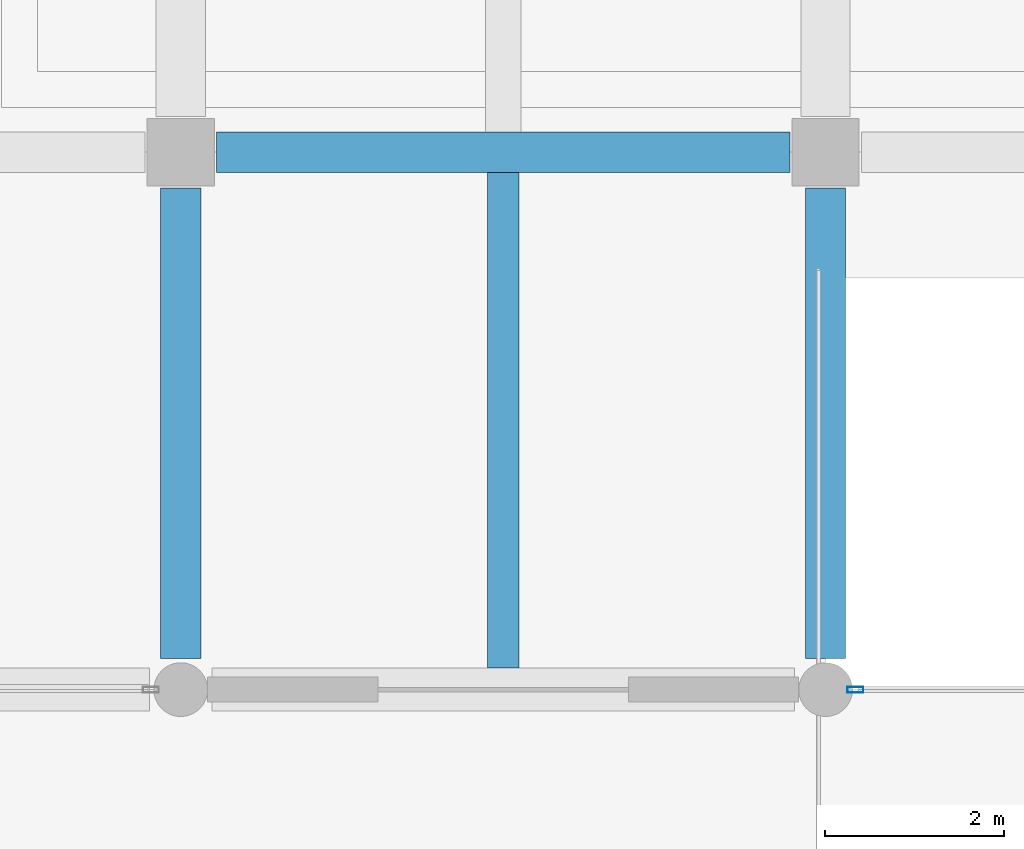
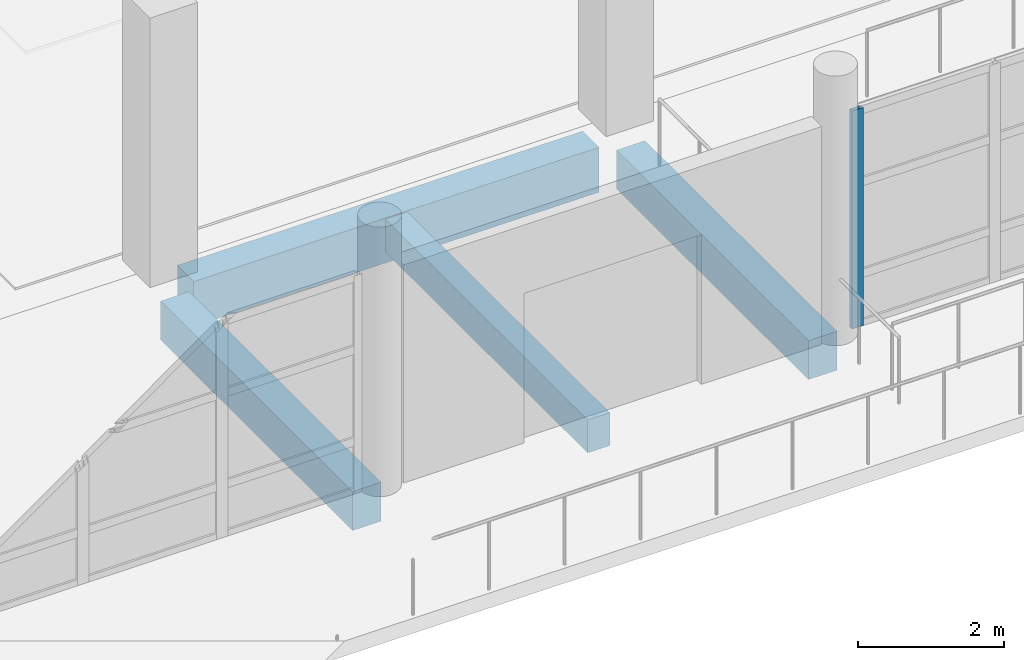
# One storey, part 6 of 71: 4 beams, 1 member, 1 element without a shape of its own.
"""IFC4 building model written with IfcOpenShell, lengths in metres."""

from ifc_helpers import new_model, si_unit, direction, frame, origin, origin_2d, place, context, subcontext, project, spatial, rectangle, hollow_rectangle, extrude, material, material_profile, profile_set, type_object, element, aggregate, save


model = new_model("IFC4")

# Units and contexts
model_context = context("Model", 3, precision=1e-05, world=origin(), true_north=direction((0.0, 1.0)))
body_context = subcontext(model_context, "Body", "Model", "MODEL_VIEW")
ifc_project = project(units=[si_unit("LENGTHUNIT", "METRE"), si_unit("AREAUNIT", "SQUARE_METRE"), si_unit("VOLUMEUNIT", "CUBIC_METRE"), si_unit("PLANEANGLEUNIT", "RADIAN"), si_unit("MASSUNIT", "GRAM", prefix="KILO")], contexts=[model_context])

# Site, building, storey
site_placement = place(None, origin())
site = spatial("IfcSite", under=ifc_project, at=site_placement, CompositionType="ELEMENT")
building_placement = place(site_placement, origin())
building = spatial("IfcBuilding", under=site, at=building_placement, Name="Pellamere Symphony Hall", CompositionType="ELEMENT")
storey_placement = place(building_placement, frame((0.0, 0.0, 15.0)))
storey = spatial("IfcBuildingStorey", under=building, at=storey_placement, Name="L03", CompositionType="ELEMENT", Elevation=15.0)

# Curtain wall, member
ifc_material_1 = material(Name="Thermally Broken Anodised Aluminium 6063-T6 Curtain Wall", Category="aluminium")
curtain_wall_type = type_object("IfcCurtainWallType", Name="Curtain Wall CW-02 (Winter-Garden South Concourse Curtain Wall)", PredefinedType="NOTDEFINED", material=ifc_material_1)
curtain_wall_placement = place(storey_placement, origin())
curtain_wall = element("IfcCurtainWall", 1, at=curtain_wall_placement, inside=storey, type_object=curtain_wall_type, Name="Winter-Garden South Curtain Wall (L03 Bay 5)", PredefinedType="NOTDEFINED")
ifc_material_2 = material(Name="Anodised Architectural Aluminium 6063-T6", Category="aluminium")
ifc_material_profile_1 = material_profile(ifc_material_2, hollow_rectangle(XDim=0.06494140625, YDim=0.179931640625, WallThickness=0.00390625, at=origin_2d()), Name="ALU-M65X180X4")
ifc_profile_set_1 = profile_set([ifc_material_profile_1], Name="Anodised Architectural Aluminium 6063-T6")
member_type = type_object("IfcMemberType", Name="Curtain Wall Mullion ML-02 ALU-M65X180X4", PredefinedType="MULLION", material=ifc_profile_set_1)
member_placement = place(storey_placement, frame((73.532470703125, 24.0, 0.0), z_axis=(0.0, 0.0, 1.0), x_axis=(0.0, 1.0, 0.0)))
member = element("IfcMember", 2, at=member_placement, type_object=member_type, Name="CW2-089 crystal mullion 1", PredefinedType="MULLION", context=body_context, shape_type="SweptSolid", body=[
    extrude(hollow_rectangle(XDim=0.06494140625, YDim=0.179931640625, WallThickness=0.00390625, at=origin_2d()), origin(), (0.0, 0.0, 1.0), 3.639892578125),
])
aggregate(curtain_wall, [member])

# Beams
ifc_material_3 = material(Name="Concrete 40 MPa", Category="concrete")
ifc_material_profile_2 = material_profile(ifc_material_3, rectangle(XDim=0.449951171875, YDim=0.64990234375, at=origin_2d()), Name="RC 450x650")
ifc_profile_set_2 = profile_set([ifc_material_profile_2], Name="Concrete 40 MPa")
beam_type_1 = type_object("IfcBeamType", Name="RC CB-08 450x650", PredefinedType="BEAM", material=ifc_profile_set_2)
for number, where, z_axis, x_axis, name in (
    (3, (66.0, 24.35009765625, -0.5849609375), (0.0, 1.0, 0.0), (-1.0, 0.0, 0.0), "Girder CB-08-Y1621 (L03)"),
    (4, (73.199951171875, 24.35009765625, -0.5849609375), (0.0, 1.0, 0.0), (-1.0, 0.0, 0.0), "Girder CB-08-Y1626 (L03)"),
):
    element("IfcBeam", number, at=place(storey_placement, frame(where, z_axis=z_axis, x_axis=x_axis)), inside=storey, type_object=beam_type_1, Name=name, PredefinedType="BEAM", context=body_context, shape_type="SweptSolid", body=[
        extrude(rectangle(XDim=0.449951171875, YDim=0.64990234375, at=origin_2d()), origin(), (0.0, 0.0, 1.0), 5.25),
    ])
ifc_material_4 = material(Name="Concrete 35 MPa", Category="concrete")
ifc_material_profile_3 = material_profile(ifc_material_4, rectangle(XDim=0.35009765625, YDim=0.550048828125, at=origin_2d()), Name="RC 350x550")
ifc_profile_set_3 = profile_set([ifc_material_profile_3], Name="Concrete 35 MPa")
beam_type_2 = type_object("IfcBeamType", Name="RC CB-10 350x550", PredefinedType="BEAM", material=ifc_profile_set_3)
beam_1_placement = place(storey_placement, frame((69.60009765625, 24.239990234375, -0.550048828125), z_axis=(0.0, 1.0, 0.0), x_axis=(-1.0, 0.0, 0.0)))
element("IfcBeam", 5, at=beam_1_placement, inside=storey, type_object=beam_type_2, Name="Secondary Floor Beam CB-10-M0803 (L03)", PredefinedType="BEAM", context=body_context, shape_type="SweptSolid", body=[
    extrude(rectangle(XDim=0.35009765625, YDim=0.550048828125, at=origin_2d()), origin(), (0.0, 0.0, 1.0), 5.534912109375),
])
ifc_material_profile_4 = material_profile(ifc_material_3, rectangle(XDim=0.449951171875, YDim=0.75, at=origin_2d()), Name="RC 450x750")
ifc_profile_set_4 = profile_set([ifc_material_profile_4], Name="Concrete 40 MPa")
beam_type_3 = type_object("IfcBeamType", Name="RC CB-12 450x750", PredefinedType="SPANDREL", material=ifc_profile_set_4)
beam_2_placement = place(storey_placement, frame((66.39990234375, 30.0, -0.635009765625), z_axis=(1.0, 0.0, 0.0), x_axis=(0.0, 1.0, 0.0)))
element("IfcBeam", 6, at=beam_2_placement, inside=storey, type_object=beam_type_3, Name="Girder CB-12-X1508 (L03)", PredefinedType="SPANDREL", context=body_context, shape_type="SweptSolid", body=[
    extrude(rectangle(XDim=0.449951171875, YDim=0.75, at=origin_2d()), origin(), (0.0, 0.0, 1.0), 6.400146484375),
])

save(model, "model.ifc")
